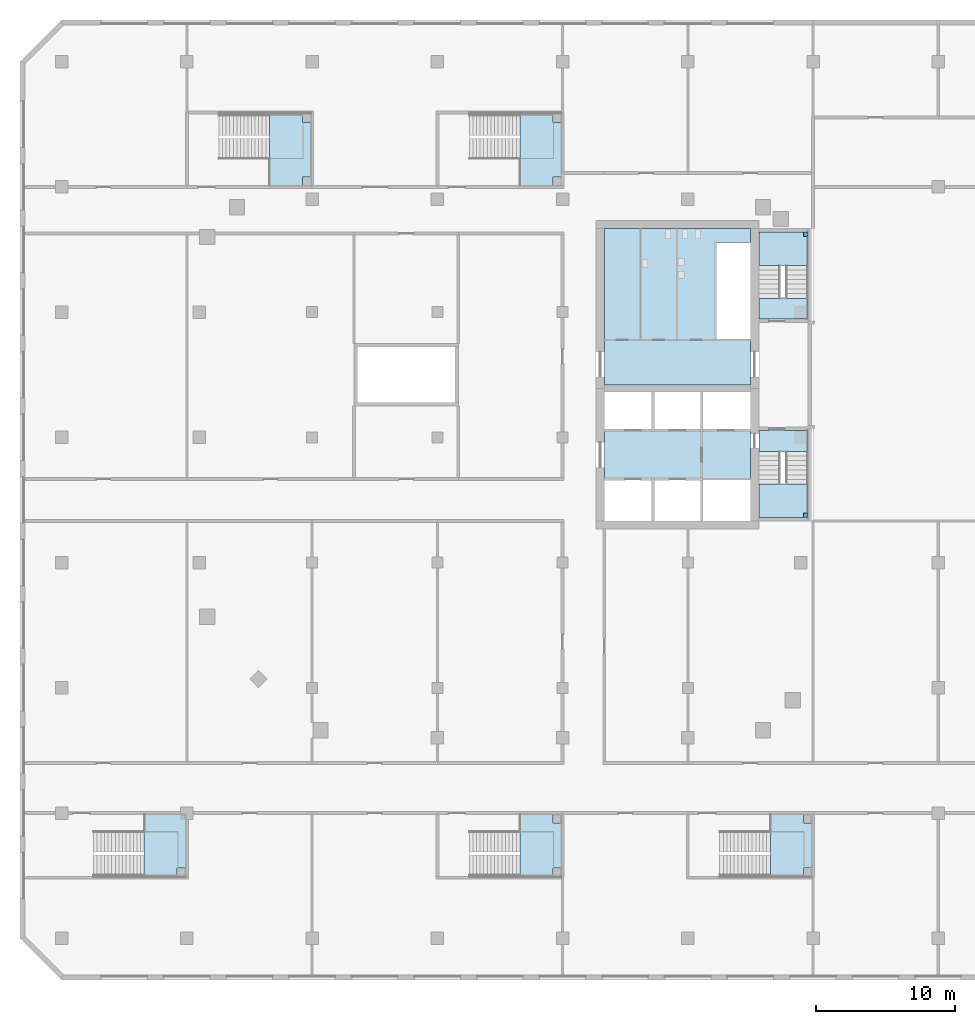
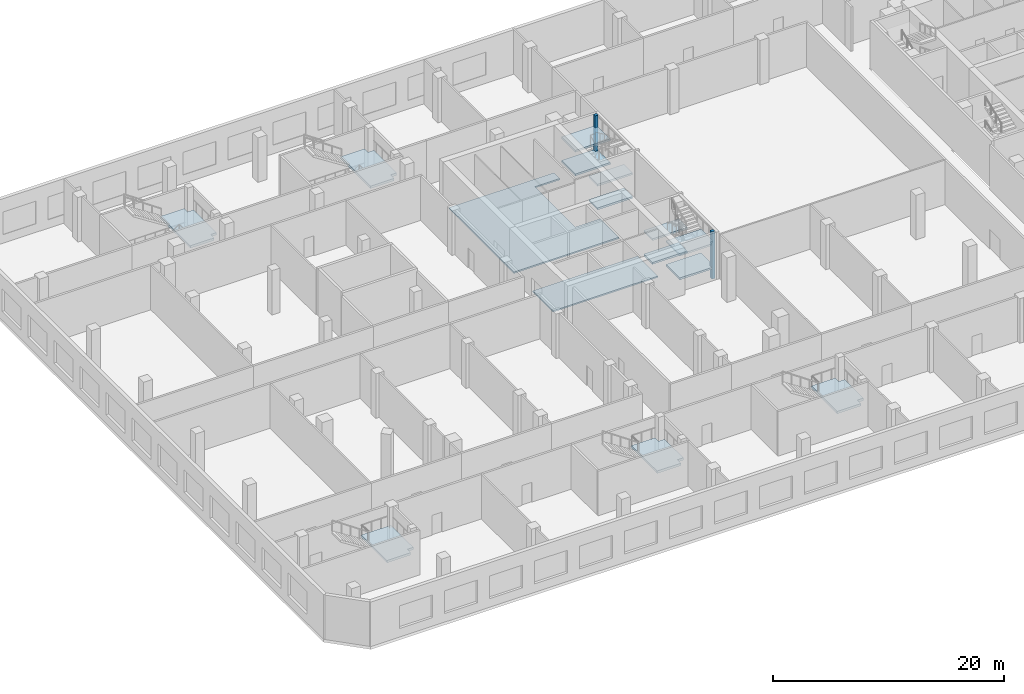
# One storey, part 2 of 21: 15 slabs, 2 members, 7 elements without a shape of their own.
"""IFC4 building model written with IfcOpenShell, lengths in metres."""

import ifcopenshell
import ifcopenshell.guid

model = None  # the IFC model being written
_history = None  # IfcOwnerHistory: only IFC2X3 demands one
_inside = {}  # id of a spatial element -> (the spatial element, [elements in it])
_under = {}  # id of a project, library or spatial element -> (it, [spatial elements below it])
_declared = {}  # id of a project -> (the project, [libraries it declares])
_typed = {}  # id of a type object -> (the type object, [elements of that type])
_made_of = {}  # id of a material, layer set ... -> (it, [elements and type objects made of it])


def new_model(schema):
    """Start an empty IFC model of exactly this schema.

    Asked for "IFC4X3", IfcOpenShell would pick the latest addendum, in which some entities
    have other attributes; the version numbers below select the first issue.
    IFC2X3 requires an IfcOwnerHistory on every rooted entity: one is made here for all.
    """
    global model, _history
    if schema == "IFC4X3":
        model = ifcopenshell.file(schema_version=(4, 3, 0, 0))
    else:
        model = ifcopenshell.file(schema=schema)
    _inside.clear()
    _under.clear()
    _declared.clear()
    _typed.clear()
    _made_of.clear()
    _history = None
    if model.schema == "IFC2X3":
        org = make("IfcOrganization", Name="unknown")
        user = make(
            "IfcPersonAndOrganization",
            ThePerson=make("IfcPerson", FamilyName="unknown"),
            TheOrganization=org,
        )
        app = make(
            "IfcApplication",
            ApplicationDeveloper=org,
            Version="unknown",
            ApplicationFullName="unknown",
            ApplicationIdentifier="unknown",
        )
        _history = make(
            "IfcOwnerHistory",
            OwningUser=user,
            OwningApplication=app,
            ChangeAction="ADDED",
            CreationDate=0,
        )
    return model


def make(cls, **values):
    """One entity of the class cls with the attributes given. An attribute that is None is left unset."""
    return model.create_entity(
        cls, **{name: value for name, value in values.items() if value is not None}
    )


def rooted(cls, **values):
    """An entity with a GlobalId (a new one), such as an element, a storey or a relation."""
    return make(cls, GlobalId=ifcopenshell.guid.new(), OwnerHistory=_history, **values)


def si_unit(unit_type, name, prefix=None):
    """IfcSIUnit, for example si_unit("LENGTHUNIT", "METRE", prefix="MILLI")."""
    return make("IfcSIUnit", UnitType=unit_type, Prefix=prefix, Name=name)


def assignment(units):
    """IfcUnitAssignment: the units of a project."""
    return None if units is None else make("IfcUnitAssignment", Units=units)


def point(xyz):
    """IfcCartesianPoint."""
    return None if xyz is None else make("IfcCartesianPoint", Coordinates=xyz)


def direction(xyz):
    """IfcDirection."""
    return None if xyz is None else make("IfcDirection", DirectionRatios=xyz)


def frame(location, z_axis=None, x_axis=None):
    """IfcAxis2Placement3D, a coordinate frame: its origin and axes. An axis left out is left unset."""
    return make(
        "IfcAxis2Placement3D",
        Location=point(location),
        Axis=direction(z_axis),
        RefDirection=direction(x_axis),
    )


def frame_2d(location, x_axis=None):
    """IfcAxis2Placement2D, a coordinate frame in the plane: its origin and x axis."""
    return make(
        "IfcAxis2Placement2D", Location=point(location), RefDirection=direction(x_axis)
    )


def origin():
    """The frame at (0, 0, 0) with its axes left unset."""
    return frame((0.0, 0.0, 0.0))


def origin_2d():
    """The frame at (0, 0) in the plane with its x axis left unset."""
    return frame_2d((0.0, 0.0))


def place(relative_to, where):
    """IfcLocalPlacement: puts the frame where relative to a parent placement (None: the world)."""
    return make(
        "IfcLocalPlacement", PlacementRelTo=relative_to, RelativePlacement=where
    )


def context(
    kind, dimensions, precision=None, world=None, true_north=None, identifier=None
):
    """IfcGeometricRepresentationContext, for example the 3D "Model" context."""
    return make(
        "IfcGeometricRepresentationContext",
        ContextIdentifier=identifier,
        ContextType=kind,
        CoordinateSpaceDimension=dimensions,
        Precision=precision,
        WorldCoordinateSystem=world,
        TrueNorth=true_north,
    )


def subcontext(parent, identifier, kind, view, scale=None):
    """IfcGeometricRepresentationSubContext, for example "Body" below "Model"."""
    return make(
        "IfcGeometricRepresentationSubContext",
        ContextIdentifier=identifier,
        ContextType=kind,
        ParentContext=parent,
        TargetScale=scale,
        TargetView=view,
    )


def project(units=None, contexts=None):
    """IfcProject with its units and contexts."""
    return rooted(
        "IfcProject",
        Name="project",
        RepresentationContexts=contexts,
        UnitsInContext=assignment(units),
    )


def spatial(cls, under=None, at=None, **own):
    """A site, building, storey or space (cls), placed at a placement, below another one or the project."""
    s = rooted(cls, ObjectPlacement=at, **own)
    if under is not None:
        _under.setdefault(under.id(), (under, []))[1].append(s)
    return s


def polyline(points):
    """IfcPolyline through the points."""
    return make("IfcPolyline", Points=[point(p) for p in points])


def profile(cls, at=None, kind="AREA", **sizes):
    """A parametric profile (cls). Its sizes go by their IFC names, for example OverallWidth=200.0."""
    return make(cls, ProfileType=kind, Position=at, **sizes)


def rectangle(**sizes):
    """IfcRectangleProfileDef."""
    return profile("IfcRectangleProfileDef", **sizes)


def outline(outer, holes=None, kind="AREA"):
    """IfcArbitraryClosedProfileDef: a profile drawn as a closed curve; with holes, ...WithVoids."""
    if holes is None:
        return make("IfcArbitraryClosedProfileDef", ProfileType=kind, OuterCurve=outer)
    return make(
        "IfcArbitraryProfileDefWithVoids",
        ProfileType=kind,
        OuterCurve=outer,
        InnerCurves=holes,
    )


def extrude(swept, where, along, depth):
    """IfcExtrudedAreaSolid: the profile swept, set in the frame where, extruded along a direction by depth."""
    return make(
        "IfcExtrudedAreaSolid",
        SweptArea=swept,
        Position=where,
        ExtrudedDirection=direction(along),
        Depth=depth,
    )


def shape(context_of_items, identifier, shape_type, items):
    """IfcShapeRepresentation: the items that make up one representation, for example the "Body"."""
    return make(
        "IfcShapeRepresentation",
        ContextOfItems=context_of_items,
        RepresentationIdentifier=identifier,
        RepresentationType=shape_type,
        Items=items,
    )


def material(Name=None, Category=None):
    """IfcMaterial."""
    return make("IfcMaterial", Name=Name, Category=Category)


def layer(
    of_material, thickness, ventilated=None, Name=None, Category=None, Priority=None
):
    """IfcMaterialLayer: one layer of a wall or slab, of a material (None: an air gap)."""
    return make(
        "IfcMaterialLayer",
        Material=of_material,
        LayerThickness=thickness,
        IsVentilated=ventilated,
        Name=Name,
        Category=Category,
        Priority=Priority,
    )


def layer_set(layers, Name=None):
    """IfcMaterialLayerSet."""
    return make("IfcMaterialLayerSet", MaterialLayers=layers, LayerSetName=Name)


def material_profile(
    of_material, cross_section, Name=None, Category=None, Priority=None
):
    """IfcMaterialProfile: a cross section and its material."""
    return make(
        "IfcMaterialProfile",
        Name=Name,
        Material=of_material,
        Profile=cross_section,
        Priority=Priority,
        Category=Category,
    )


def profile_set(profiles, Name=None, composite=None):
    """IfcMaterialProfileSet."""
    return make(
        "IfcMaterialProfileSet",
        Name=Name,
        MaterialProfiles=profiles,
        CompositeProfile=composite,
    )


def made_of(thing, what):
    """Note that an element or type object is made of a material, layer set ...; save() writes the relation."""
    if what is not None:
        _made_of.setdefault(what.id(), (what, []))[1].append(thing)
    return thing


def type_object(cls, material=None, **own):
    """A type object (cls), such as IfcWallType, which elements share."""
    return made_of(rooted(cls, **own), material)


def element(
    cls,
    number,
    at=None,
    inside=None,
    cuts=None,
    type_object=None,
    material=None,
    context=None,
    identifier="Body",
    shape_type=None,
    held_by="IfcProductDefinitionShape",
    body=None,
    shapes=None,
    **own,
):
    """One element of the class cls, such as IfcWall. Its Tag is "e" and its number.

    at: its placement. inside: the storey or other place that contains it. cuts: it is an
    opening in that element (IfcRelVoidsElement). A single representation is given by context,
    identifier, shape_type and body (its items); several are given by shapes. held_by: the class
    of the entity that holds the representations. save() writes the other relations.
    """
    e = rooted(cls, Tag="e%d" % number, ObjectPlacement=at, **own)
    if body is not None:
        shapes = [shape(context, identifier, shape_type, body)]
    if shapes is not None:
        e.Representation = make(held_by, Representations=shapes)
    if inside is not None:
        _inside.setdefault(inside.id(), (inside, []))[1].append(e)
    if cuts is not None:
        rooted(
            "IfcRelVoidsElement", RelatingBuildingElement=cuts, RelatedOpeningElement=e
        )
    if type_object is not None:
        _typed.setdefault(type_object.id(), (type_object, []))[1].append(e)
    return made_of(e, material)


def aggregate(whole, parts):
    """IfcRelAggregates: a whole, such as a stair, and the parts it consists of."""
    return rooted("IfcRelAggregates", RelatingObject=whole, RelatedObjects=parts)


def save(model, path):
    """Write the relations noted so far, then the file.

    IfcRelAggregates (storeys below a building ...), IfcRelContainedInSpatialStructure (elements
    in a storey), IfcRelDefinesByType, IfcRelAssociatesMaterial and IfcRelDeclares: one each for
    every whole, place, type object, material and project.
    """
    for whole, parts in _under.values():
        aggregate(whole, parts)
    for where, things in _inside.values():
        rooted(
            "IfcRelContainedInSpatialStructure",
            RelatedElements=things,
            RelatingStructure=where,
        )
    for kind, things in _typed.values():
        rooted("IfcRelDefinesByType", RelatedObjects=things, RelatingType=kind)
    for what, things in _made_of.values():
        rooted("IfcRelAssociatesMaterial", RelatedObjects=things, RelatingMaterial=what)
    for by, libraries in _declared.values():
        rooted("IfcRelDeclares", RelatingContext=by, RelatedDefinitions=libraries)
    model.write(path)


model = new_model("IFC4")

# Units and contexts
model_context = context("Model", 3, precision=1e-05, world=origin(), true_north=direction((0.0, 1.0)))
body_context = subcontext(model_context, "Body", "Model", "MODEL_VIEW")
ifc_project = project(units=[si_unit("LENGTHUNIT", "METRE"), si_unit("AREAUNIT", "SQUARE_METRE"), si_unit("VOLUMEUNIT", "CUBIC_METRE"), si_unit("PLANEANGLEUNIT", "RADIAN"), si_unit("MASSUNIT", "GRAM", prefix="KILO")], contexts=[model_context])

# Site, building, storey
site_placement = place(None, origin())
site = spatial("IfcSite", under=ifc_project, at=site_placement, CompositionType="ELEMENT")
building_placement = place(site_placement, origin())
building = spatial("IfcBuilding", under=site, at=building_placement, Name="Cinnabar Reach Civic Tower", CompositionType="ELEMENT")
storey_placement = place(building_placement, frame((0.0, 0.0, 11.0)))
storey = spatial("IfcBuildingStorey", under=building, at=storey_placement, Name="L02", CompositionType="ELEMENT", Elevation=11.0)

# Members
ifc_material_1 = material(Name="Concrete C40", Category="concrete")
ifc_material_profile = material_profile(ifc_material_1, rectangle(XDim=0.3, YDim=0.3, at=origin_2d()), Name="C300")
ifc_profile_set = profile_set([ifc_material_profile], Name="Concrete C40")
member_type = type_object("IfcMemberType", Name="T2 stair post 300", PredefinedType="STRUT", material=ifc_profile_set)
for number, where, z_axis, x_axis, name in (
    (1, (-27.55, 21.4, 0.0), (0.0, 0.0, 1.0), (1.0, 0.0, 0.0), "Stair post 1"),
    (2, (-27.55, 41.6, 0.0), (0.0, 0.0, 1.0), (1.0, 0.0, 0.0), "Stair post 2"),
):
    element("IfcMember", number, at=place(storey_placement, frame(where, z_axis=z_axis, x_axis=x_axis)), inside=storey, type_object=member_type, Name=name, PredefinedType="STRUT", context=body_context, shape_type="SweptSolid", body=[
        extrude(rectangle(XDim=0.3, YDim=0.3, at=origin_2d()), origin(), (0.0, 0.0, 1.0), 5.0),
    ])

# Stair, slab
ifc_material_2 = material(Name="Concrete C35", Category="concrete")
stair_type_1 = type_object("IfcStairType", Name="Podium exit stair 1500", PredefinedType="HALF_TURN_STAIR", material=ifc_material_2)
stair_1_placement = place(storey_placement, origin())
stair_1 = element("IfcStair", 3, at=stair_1_placement, inside=storey, type_object=stair_type_1, Name="Stair PS1", PredefinedType="HALF_TURN_STAIR")
ifc_material_3 = material(Name="Concrete C35/45", Category="concrete")
ifc_layer_1 = layer(ifc_material_3, 0.25)
ifc_layer_set_1 = layer_set([ifc_layer_1], Name="Podium exit stair landing 250")
slab_type_1 = type_object("IfcSlabType", Name="Podium exit stair landing 250", PredefinedType="LANDING", material=ifc_layer_set_1)
slab_1_placement = place(storey_placement, frame((0.0, 0.0, 2.25)))
slab_1 = element("IfcSlab", 4, at=slab_1_placement, type_object=slab_type_1, Name="PS1 landing 1", PredefinedType="LANDING", context=body_context, shape_type="SweptSolid", body=[
    extrude(outline(polyline([(-75.07, -4.55), (-75.07, -0.1), (-72.1, -0.1), (-72.1, -3.95), (-72.7, -3.95), (-72.7, -4.55), (-75.07, -4.55)])), origin(), (0.0, 0.0, 1.0), 0.25),
])
aggregate(stair_1, [slab_1])

stair_2_placement = place(storey_placement, origin())
stair_2 = element("IfcStair", 5, at=stair_2_placement, inside=storey, type_object=stair_type_1, Name="Stair PS2", PredefinedType="HALF_TURN_STAIR")
slab_2_placement = place(storey_placement, frame((0.0, 0.0, 2.25)))
slab_2 = element("IfcSlab", 6, at=slab_2_placement, type_object=slab_type_1, Name="PS2 landing 1", PredefinedType="LANDING", context=body_context, shape_type="SweptSolid", body=[
    extrude(outline(polyline([(-63.1, 45.7), (-63.7, 45.7), (-63.7, 45.1), (-66.07, 45.1), (-66.07, 50.25), (-63.7, 50.25), (-63.7, 49.65), (-63.1, 49.65), (-63.1, 45.7)])), origin(), (0.0, 0.0, 1.0), 0.25),
])
aggregate(stair_2, [slab_2])

stair_3_placement = place(storey_placement, origin())
stair_3 = element("IfcStair", 7, at=stair_3_placement, inside=storey, type_object=stair_type_1, Name="Stair PS7", PredefinedType="HALF_TURN_STAIR")
slab_3_placement = place(storey_placement, frame((0.0, 0.0, 2.25)))
slab_3 = element("IfcSlab", 8, at=slab_3_placement, type_object=slab_type_1, Name="PS7 landing 1", PredefinedType="LANDING", context=body_context, shape_type="SweptSolid", body=[
    extrude(outline(polyline([(-45.1, 45.7), (-45.7, 45.7), (-45.7, 45.1), (-48.07, 45.1), (-48.07, 50.25), (-45.7, 50.25), (-45.7, 49.65), (-45.1, 49.65), (-45.1, 45.7)])), origin(), (0.0, 0.0, 1.0), 0.25),
])
aggregate(stair_3, [slab_3])

stair_4_placement = place(storey_placement, origin())
stair_4 = element("IfcStair", 9, at=stair_4_placement, inside=storey, type_object=stair_type_1, Name="Stair PS8", PredefinedType="HALF_TURN_STAIR")
slab_4_placement = place(storey_placement, frame((0.0, 0.0, 2.25)))
slab_4 = element("IfcSlab", 10, at=slab_4_placement, type_object=slab_type_1, Name="PS8 landing 1", PredefinedType="LANDING", context=body_context, shape_type="SweptSolid", body=[
    extrude(outline(polyline([(-45.1, -3.95), (-45.7, -3.95), (-45.7, -4.55), (-48.07, -4.55), (-48.07, -0.1), (-45.7, -0.1), (-45.7, -0.7), (-45.1, -0.7), (-45.1, -3.95)])), origin(), (0.0, 0.0, 1.0), 0.25),
])
aggregate(stair_4, [slab_4])

stair_5_placement = place(storey_placement, origin())
stair_5 = element("IfcStair", 11, at=stair_5_placement, inside=storey, type_object=stair_type_1, Name="Stair PS9", PredefinedType="HALF_TURN_STAIR")
slab_5_placement = place(storey_placement, frame((0.0, 0.0, 2.25)))
slab_5 = element("IfcSlab", 12, at=slab_5_placement, type_object=slab_type_1, Name="PS9 landing 1", PredefinedType="LANDING", context=body_context, shape_type="SweptSolid", body=[
    extrude(outline(polyline([(-27.1, -3.95), (-27.7, -3.95), (-27.7, -4.55), (-30.07, -4.55), (-30.07, -0.1), (-27.7, -0.1), (-27.7, -0.7), (-27.1, -0.7), (-27.1, -3.95)])), origin(), (0.0, 0.0, 1.0), 0.25),
])
aggregate(stair_5, [slab_5])

# Slabs
ifc_layer_2 = layer(ifc_material_1, 0.15)
ifc_layer_set_2 = layer_set([ifc_layer_2], Name="T2 Core floor slab 150")
slab_type_2 = type_object("IfcSlabType", Name="T2 Core floor slab 150", PredefinedType="FLOOR", material=ifc_layer_set_2)
slab_6_placement = place(storey_placement, frame((0.0, 0.0, -0.15)))
element("IfcSlab", 13, at=slab_6_placement, inside=storey, type_object=slab_type_2, Name="Core floor slab L02", PredefinedType="FLOOR", context=body_context, shape_type="SweptSolid", body=[
    extrude(outline(polyline([(-42.0, 42.0), (-31.5, 42.0), (-31.5, 41.0), (-34.0, 41.0), (-34.0, 34.0), (-31.5, 34.0), (-31.5, 30.75), (-42.0, 30.75), (-42.0, 42.0)])), origin(), (0.0, 0.0, 1.0), 0.15),
])
slab_7_placement = place(storey_placement, frame((0.0, 0.0, -0.15)))
element("IfcSlab", 14, at=slab_7_placement, inside=storey, type_object=slab_type_2, Name="Core floor slab L02", PredefinedType="FLOOR", context=body_context, shape_type="SweptSolid", body=[
    extrude(outline(polyline([(-35.0, 24.0), (-38.5, 24.0), (-42.0, 24.0), (-42.0, 27.5), (-38.5, 27.5), (-35.0, 27.5), (-31.5, 27.5), (-31.5, 24.0), (-35.0, 24.0)])), origin(), (0.0, 0.0, 1.0), 0.15),
])

# Stair, slabs
stair_type_2 = type_object("IfcStairType", Name="T2 Exit stair 1500", PredefinedType="HALF_TURN_STAIR", material=ifc_material_1)
stair_6_placement = place(storey_placement, origin())
stair_6 = element("IfcStair", 15, at=stair_6_placement, inside=storey, type_object=stair_type_2, Name="Exit stair 1", PredefinedType="HALF_TURN_STAIR")
ifc_layer_3 = layer(ifc_material_1, 0.2)
ifc_layer_set_3 = layer_set([ifc_layer_3], Name="T2 Stair landing 200")
slab_type_3 = type_object("IfcSlabType", Name="T2 Stair landing 200", PredefinedType="LANDING", material=ifc_layer_set_3)
slab_8_placement = place(storey_placement, frame((0.0, 0.0, -0.2)))
slab_8 = element("IfcSlab", 16, at=slab_8_placement, type_object=slab_type_3, Name="ST1 landing 1", PredefinedType="LANDING", context=body_context, shape_type="SweptSolid", body=[
    extrude(outline(polyline([(-30.9, 26.0), (-30.9, 27.5), (-27.4, 27.5), (-27.4, 26.0), (-30.9, 26.0)])), origin(), (0.0, 0.0, 1.0), 0.2),
])
slab_9_placement = place(storey_placement, frame((0.0, 0.0, 1.05)))
slab_9 = element("IfcSlab", 17, at=slab_9_placement, type_object=slab_type_3, Name="ST1 landing 2", PredefinedType="LANDING", context=body_context, shape_type="SweptSolid", body=[
    extrude(outline(polyline([(-30.9, 21.25), (-30.9, 23.6375), (-27.4, 23.6375), (-27.4, 21.55), (-27.7, 21.55), (-27.7, 21.25), (-30.9, 21.25)])), origin(), (0.0, 0.0, 1.0), 0.2),
])
slab_10_placement = place(storey_placement, frame((0.0, 0.0, 2.3)))
slab_10 = element("IfcSlab", 18, at=slab_10_placement, type_object=slab_type_3, Name="ST1 landing 3", PredefinedType="LANDING", context=body_context, shape_type="SweptSolid", body=[
    extrude(outline(polyline([(-30.9, 26.0), (-30.9, 27.5), (-27.4, 27.5), (-27.4, 26.0), (-30.9, 26.0)])), origin(), (0.0, 0.0, 1.0), 0.2),
])
slab_11_placement = place(storey_placement, frame((0.0, 0.0, 3.55)))
slab_11 = element("IfcSlab", 19, at=slab_11_placement, type_object=slab_type_3, Name="ST1 landing 4", PredefinedType="LANDING", context=body_context, shape_type="SweptSolid", body=[
    extrude(outline(polyline([(-30.9, 21.25), (-30.9, 23.6375), (-27.4, 23.6375), (-27.4, 21.55), (-27.7, 21.55), (-27.7, 21.25), (-30.9, 21.25)])), origin(), (0.0, 0.0, 1.0), 0.2),
])
aggregate(stair_6, [slab_8, slab_9, slab_10, slab_11])

stair_7_placement = place(storey_placement, origin())
stair_7 = element("IfcStair", 20, at=stair_7_placement, inside=storey, type_object=stair_type_2, Name="Exit stair 2", PredefinedType="HALF_TURN_STAIR")
slab_12_placement = place(storey_placement, frame((0.0, 0.0, -0.2)))
slab_12 = element("IfcSlab", 21, at=slab_12_placement, type_object=slab_type_3, Name="ST2 landing 1", PredefinedType="LANDING", context=body_context, shape_type="SweptSolid", body=[
    extrude(outline(polyline([(-30.9, 35.5), (-30.9, 37.0), (-27.4, 37.0), (-27.4, 35.5), (-30.9, 35.5)])), origin(), (0.0, 0.0, 1.0), 0.2),
])
slab_13_placement = place(storey_placement, frame((0.0, 0.0, 1.05)))
slab_13 = element("IfcSlab", 22, at=slab_13_placement, type_object=slab_type_3, Name="ST2 landing 2", PredefinedType="LANDING", context=body_context, shape_type="SweptSolid", body=[
    extrude(outline(polyline([(-27.4, 39.3625), (-30.9, 39.3625), (-30.9, 41.75), (-27.7, 41.75), (-27.7, 41.45), (-27.4, 41.45), (-27.4, 39.3625)])), origin(), (0.0, 0.0, 1.0), 0.2),
])
slab_14_placement = place(storey_placement, frame((0.0, 0.0, 2.3)))
slab_14 = element("IfcSlab", 23, at=slab_14_placement, type_object=slab_type_3, Name="ST2 landing 3", PredefinedType="LANDING", context=body_context, shape_type="SweptSolid", body=[
    extrude(outline(polyline([(-30.9, 35.5), (-30.9, 37.0), (-27.4, 37.0), (-27.4, 35.5), (-30.9, 35.5)])), origin(), (0.0, 0.0, 1.0), 0.2),
])
slab_15_placement = place(storey_placement, frame((0.0, 0.0, 3.55)))
slab_15 = element("IfcSlab", 24, at=slab_15_placement, type_object=slab_type_3, Name="ST2 landing 4", PredefinedType="LANDING", context=body_context, shape_type="SweptSolid", body=[
    extrude(outline(polyline([(-27.4, 39.3625), (-30.9, 39.3625), (-30.9, 41.75), (-27.7, 41.75), (-27.7, 41.45), (-27.4, 41.45), (-27.4, 39.3625)])), origin(), (0.0, 0.0, 1.0), 0.2),
])
aggregate(stair_7, [slab_12, slab_13, slab_14, slab_15])

save(model, "model.ifc")
